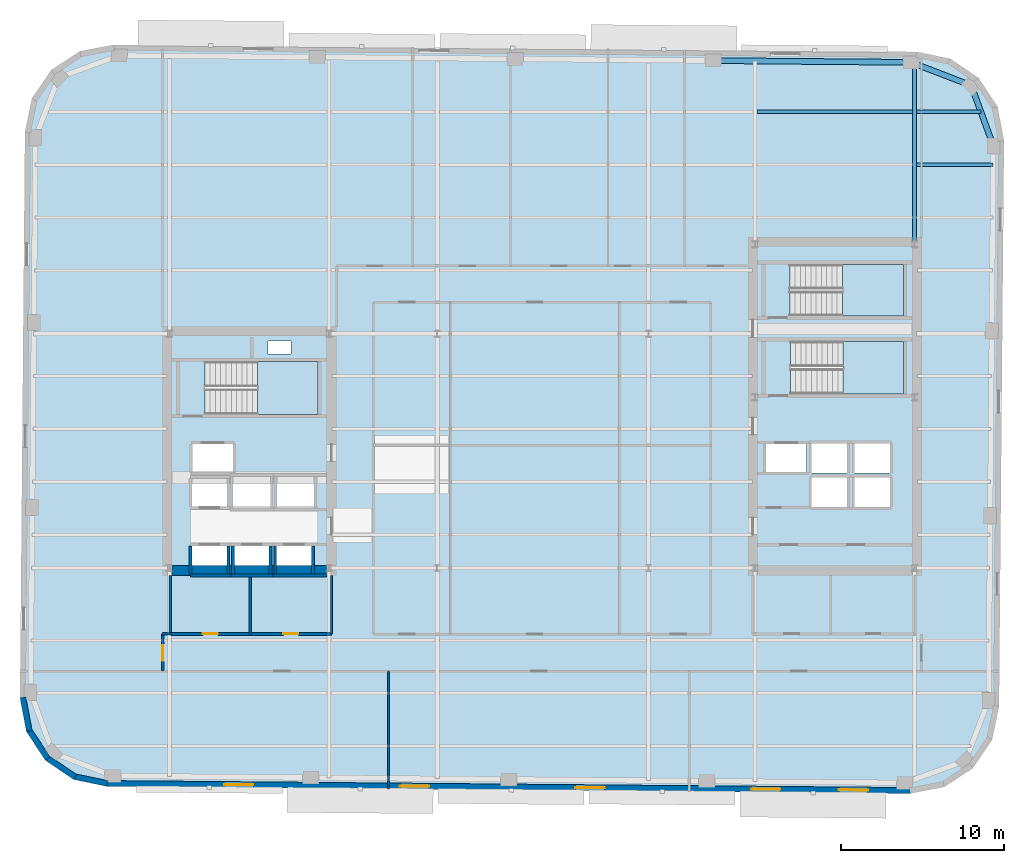
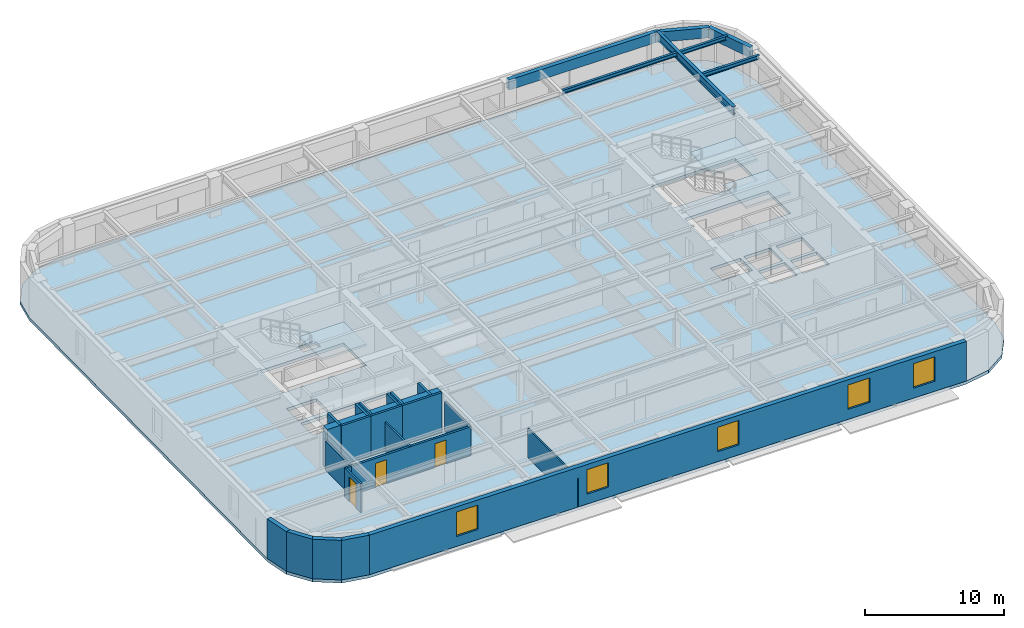
# One storey, part 3 of 11: 22 walls, 7 beams, 5 windows, 4 slabs, 3 doors, 8 openings, 3 elements without a shape of their own.
"""IFC4 building model written with IfcOpenShell, lengths in metres."""

from ifc_helpers import new_model, si_unit, direction, frame, frame_2d, origin, origin_2d, place, context, subcontext, project, spatial, polyline, rectangle, hollow_rectangle, i_section, outline, extrude, material, layer, layer_set, material_profile, profile_set, type_object, element, fill, aggregate, save


model = new_model("IFC4")

# Units and contexts
model_context = context("Model", 3, precision=1e-05, world=origin(), true_north=direction((0.0, 1.0)))
body_context = subcontext(model_context, "Body", "Model", "MODEL_VIEW")
ifc_project = project(units=[si_unit("LENGTHUNIT", "METRE"), si_unit("AREAUNIT", "SQUARE_METRE"), si_unit("VOLUMEUNIT", "CUBIC_METRE"), si_unit("PLANEANGLEUNIT", "RADIAN"), si_unit("MASSUNIT", "GRAM", prefix="KILO")], contexts=[model_context])

# Site, building, storey
site_placement = place(None, origin())
site = spatial("IfcSite", under=ifc_project, at=site_placement, CompositionType="ELEMENT")
building_placement = place(site_placement, origin())
building = spatial("IfcBuilding", under=site, at=building_placement, Name="Kolvaren Arena Tower", CompositionType="ELEMENT")
storey_placement = place(building_placement, frame((0.0, 0.0, 169.699951171875)))
storey = spatial("IfcBuildingStorey", under=building, at=storey_placement, Name="L40", CompositionType="ELEMENT", Elevation=169.699951171875)

# Beams
ifc_material_1 = material(Name="Steel CSA G40.21 350W", Category="steel")
ifc_material_profile_1 = material_profile(ifc_material_1, i_section(OverallWidth=0.2548828125, OverallDepth=0.695068359375, WebThickness=0.01708984375, FlangeThickness=0.02978515625, FilletRadius=0.01611328125, at=origin_2d()), Name="W690x217")
ifc_profile_set_1 = profile_set([ifc_material_profile_1], Name="Steel CSA G40.21 350W")
beam_type_1 = type_object("IfcBeamType", Name="GIRD-T2", PredefinedType="BEAM", material=ifc_profile_set_1)
beam_1_placement = place(storey_placement, frame((60.35009765625, 39.47998046875, 3.132568359375), z_axis=(0.0, 1.0, 0.0), x_axis=(-1.0, 0.0, 0.0)))
element("IfcBeam", 1, at=beam_1_placement, inside=storey, type_object=beam_type_1, Name="Primary Floor Girder (L40)", PredefinedType="BEAM", context=body_context, shape_type="SweptSolid", body=[
    extrude(i_section(OverallWidth=0.2548828125, OverallDepth=0.695068359375, WebThickness=0.01708984375, FlangeThickness=0.02978515625, FilletRadius=0.01611328125, at=origin_2d()), origin(), (0.0, 0.0, 1.0), 10.976806640625),
])
ifc_material_profile_2 = material_profile(ifc_material_1, i_section(OverallWidth=0.202880859375, OverallDepth=0.346923828125, WebThickness=0.0078125, FlangeThickness=0.013427734375, FilletRadius=0.010986328125, at=origin_2d()), Name="W360x64")
ifc_profile_set_2 = profile_set([ifc_material_profile_2], Name="Steel CSA G40.21 350W")
beam_type_2 = type_object("IfcBeamType", Name="JOIST-01", PredefinedType="JOIST", material=ifc_profile_set_2)
beam_2_placement = place(storey_placement, frame((60.4775390625, 44.25, 3.306640625), z_axis=(1.0, 0.0, 0.0), x_axis=(0.0, 1.0, 0.0)))
element("IfcBeam", 2, at=beam_2_placement, inside=storey, type_object=beam_type_2, Name="Composite Floor Joist (L40)", PredefinedType="JOIST", context=body_context, shape_type="SweptSolid", body=[
    extrude(i_section(OverallWidth=0.202880859375, OverallDepth=0.346923828125, WebThickness=0.0078125, FlangeThickness=0.013427734375, FilletRadius=0.010986328125, at=origin_2d()), origin(), (0.0, 0.0, 1.0), 4.710205078125),
])
beam_3_placement = place(storey_placement, frame((50.677490234375, 47.5, 3.306640625), z_axis=(1.0, 0.0, 0.0), x_axis=(0.0, 1.0, 0.0)))
element("IfcBeam", 3, at=beam_3_placement, inside=storey, type_object=beam_type_2, Name="Composite Floor Joist (L40)", PredefinedType="JOIST", context=body_context, shape_type="SweptSolid", body=[
    extrude(i_section(OverallWidth=0.202880859375, OverallDepth=0.346923828125, WebThickness=0.0078125, FlangeThickness=0.013427734375, FilletRadius=0.010986328125, at=origin_2d()), origin(), (0.0, 0.0, 1.0), 9.544921875),
])
beam_4_placement = place(storey_placement, frame((60.4775390625, 47.5, 3.306640625), z_axis=(1.0, 0.0, 0.0), x_axis=(0.0, 1.0, 0.0)))
element("IfcBeam", 4, at=beam_4_placement, inside=storey, type_object=beam_type_2, Name="Composite Floor Joist (L40)", PredefinedType="JOIST", context=body_context, shape_type="SweptSolid", body=[
    extrude(i_section(OverallWidth=0.202880859375, OverallDepth=0.346923828125, WebThickness=0.0078125, FlangeThickness=0.013427734375, FilletRadius=0.010986328125, at=origin_2d()), origin(), (0.0, 0.0, 1.0), 3.950439453125),
])
ifc_material_2 = material(Name="Steel CSA G40.21 350WT", Category="steel")
ifc_material_profile_3 = material_profile(ifc_material_2, hollow_rectangle(XDim=0.35009765625, YDim=0.89990234375, WallThickness=0.02001953125, at=origin_2d()), Name="HSS 900x350x20")
ifc_profile_set_3 = profile_set([ifc_material_profile_3], Name="Steel CSA G40.21 350WT")
beam_type_3 = type_object("IfcBeamType", Name="SPAND-01", PredefinedType="SPANDREL", material=ifc_profile_set_3)
for number, where, z_axis, x_axis, name in (
    (5, (65.19775390625, 45.392333984375, 3.030029296875), (-0.343059102458, 0.939313819882, 0.0), (-0.939313819882, -0.343059102458, 0.0), "Perimeter Spandrel Beam (L40)"),
    (6, (63.8388671875, 49.113037109375, 3.030029296875), (-0.933189846698, 0.359383792094, 0.0), (-0.359383792094, -0.933189846698, 0.0), "Perimeter Spandrel Beam (L40)"),
):
    element("IfcBeam", number, at=place(storey_placement, frame(where, z_axis=z_axis, x_axis=x_axis)), inside=storey, type_object=beam_type_3, Name=name, PredefinedType="SPANDREL", context=body_context, shape_type="SweptSolid", body=[
        extrude(hollow_rectangle(XDim=0.35009765625, YDim=0.89990234375, WallThickness=0.02001953125, at=origin_2d()), origin(), (0.0, 0.0, 1.0), 3.961181640625),
    ])
beam_5_placement = place(storey_placement, frame((60.142333984375, 50.53662109375, 3.030029296875), z_axis=(-0.99996195503, 0.008722871848, 0.0), x_axis=(-0.008722871848, -0.99996195503, 0.0)))
element("IfcBeam", 7, at=beam_5_placement, inside=storey, type_object=beam_type_3, Name="Perimeter Spandrel Beam (L40)", PredefinedType="SPANDREL", context=body_context, shape_type="SweptSolid", body=[
    extrude(hollow_rectangle(XDim=0.35009765625, YDim=0.89990234375, WallThickness=0.02001953125, at=origin_2d()), origin(), (0.0, 0.0, 1.0), 12.175048828125),
])

# Stair, slab
ifc_material_3 = material(Name="Concrete 45 MPa", Category="concrete")
stair_type_1 = type_object("IfcStairType", Name="STAIR-CORE-165", PredefinedType="HALF_TURN_STAIR", material=ifc_material_3)
stair_1_placement = place(storey_placement, origin())
stair_1 = element("IfcStair", 8, at=stair_1_placement, inside=storey, type_object=stair_type_1, Name="L40 ST-W1", PredefinedType="HALF_TURN_STAIR")
ifc_layer_1 = layer(ifc_material_3, 0.199951171875)
ifc_layer_set_1 = layer_set([ifc_layer_1], Name="Concrete 45 MPa")
slab_type_1 = type_object("IfcSlabType", Name="SLAB-LAND", PredefinedType="LANDING", material=ifc_layer_set_1)
slab_1_placement = place(storey_placement, frame((0.0, 0.0, 1.675048828125)))
slab_1 = element("IfcSlab", 9, at=slab_1_placement, type_object=slab_type_1, Name="ST-W1 landing 1", PredefinedType="LANDING", context=body_context, shape_type="SweptSolid", body=[
    extrude(outline(polyline([(19.9599609375, 28.89990234375), (23.659912109375, 28.89990234375), (23.659912109375, 32.1298828125), (19.9599609375, 32.1298828125), (19.9599609375, 28.89990234375)])), origin(), (0.0, 0.0, 1.0), 0.199951171875),
])
aggregate(stair_1, [slab_1])

stair_2_placement = place(storey_placement, origin())
stair_2 = element("IfcStair", 10, at=stair_2_placement, inside=storey, type_object=stair_type_1, Name="L40 ST-E1", PredefinedType="HALF_TURN_STAIR")
slab_2_placement = place(storey_placement, frame((0.0, 0.0, 1.675048828125)))
slab_2 = element("IfcSlab", 11, at=slab_2_placement, type_object=slab_type_1, Name="ST-E1 landing 1", PredefinedType="LANDING", context=body_context, shape_type="SweptSolid", body=[
    extrude(outline(polyline([(55.9599609375, 30.14990234375), (59.659912109375, 30.14990234375), (59.659912109375, 33.3798828125), (55.9599609375, 33.3798828125), (55.9599609375, 30.14990234375)])), origin(), (0.0, 0.0, 1.0), 0.199951171875),
])
aggregate(stair_2, [slab_2])

stair_type_2 = type_object("IfcStairType", Name="STAIR-CORE-150", PredefinedType="HALF_TURN_STAIR", material=ifc_material_3)
stair_3_placement = place(storey_placement, origin())
stair_3 = element("IfcStair", 12, at=stair_3_placement, inside=storey, type_object=stair_type_2, Name="L40 ST-E2", PredefinedType="HALF_TURN_STAIR")
slab_3_placement = place(storey_placement, frame((0.0, 0.0, 1.675048828125)))
slab_3 = element("IfcSlab", 13, at=slab_3_placement, type_object=slab_type_1, Name="ST-E2 landing 1", PredefinedType="LANDING", context=body_context, shape_type="SweptSolid", body=[
    extrude(outline(polyline([(55.919921875, 34.949951171875), (59.659912109375, 34.949951171875), (59.659912109375, 38.10009765625), (55.919921875, 38.10009765625), (55.919921875, 34.949951171875)])), origin(), (0.0, 0.0, 1.0), 0.199951171875),
])
aggregate(stair_3, [slab_3])

# Slab
ifc_layer_2 = layer(ifc_material_3, 0.27001953125)
ifc_layer_set_2 = layer_set([ifc_layer_2], Name="Concrete 45 MPa")
slab_type_2 = type_object("IfcSlabType", Name="SLAB-OFF2", PredefinedType="FLOOR", material=ifc_layer_set_2)
slab_4_placement = place(storey_placement, frame((0.0, 0.0, -0.27001953125)))
element("IfcSlab", 14, at=slab_4_placement, inside=storey, type_object=slab_type_2, Name="L40 Primary Structural Slab", PredefinedType="FLOOR", context=body_context, shape_type="SweptSolid", body=[
    extrude(outline(polyline([(60.10009765625, 5.585205078125), (62.170166015625, 5.978271484375), (63.93212890625, 7.133544921875), (65.117919921875, 8.875244140625), (65.547119140625, 10.93798828125), (65.8505859375, 45.73681640625), (65.457763671875, 47.806640625), (64.302490234375, 49.568603515625), (62.560791015625, 50.75439453125), (60.498046875, 51.18359375), (11.099853515625, 51.61474609375), (9.02978515625, 51.2216796875), (7.267822265625, 50.06640625), (6.08203125, 48.32470703125), (5.653076171875, 46.261962890625), (5.349365234375, 11.46337890625), (5.7421875, 9.393310546875), (6.8974609375, 7.63134765625), (8.63916015625, 6.445556640625), (10.701904296875, 6.016357421875), (60.10009765625, 5.585205078125)]), holes=[polyline([(15.93505859375, 19.0849609375), (15.93505859375, 20.81494140625), (18.06494140625, 20.81494140625), (18.06494140625, 19.0849609375), (15.93505859375, 19.0849609375)]), polyline([(18.534912109375, 19.0849609375), (18.534912109375, 20.81494140625), (20.6650390625, 20.81494140625), (20.6650390625, 19.0849609375), (18.534912109375, 19.0849609375)]), polyline([(21.135009765625, 19.0849609375), (21.135009765625, 20.81494140625), (23.264892578125, 20.81494140625), (23.264892578125, 19.0849609375), (21.135009765625, 19.0849609375)]), polyline([(18.4599609375, 23.135009765625), (18.4599609375, 25.06494140625), (20.739990234375, 25.06494140625), (20.739990234375, 23.135009765625), (18.4599609375, 23.135009765625)]), polyline([(21.159912109375, 23.135009765625), (21.159912109375, 25.06494140625), (23.43994140625, 25.06494140625), (23.43994140625, 23.135009765625), (21.159912109375, 23.135009765625)]), polyline([(54.030029296875, 23.18505859375), (54.030029296875, 25.014892578125), (56.2099609375, 25.014892578125), (56.2099609375, 23.18505859375), (54.030029296875, 23.18505859375)]), polyline([(56.669921875, 23.18505859375), (56.669921875, 25.014892578125), (58.85009765625, 25.014892578125), (58.85009765625, 23.18505859375), (56.669921875, 23.18505859375)]), polyline([(15.93505859375, 23.235107421875), (15.93505859375, 24.965087890625), (18.06494140625, 24.965087890625), (18.06494140625, 23.235107421875), (15.93505859375, 23.235107421875)]), polyline([(54.030029296875, 25.284912109375), (54.030029296875, 27.114990234375), (56.2099609375, 27.114990234375), (56.2099609375, 25.284912109375), (54.030029296875, 25.284912109375)]), polyline([(56.669921875, 25.284912109375), (56.669921875, 27.114990234375), (58.85009765625, 27.114990234375), (58.85009765625, 25.284912109375), (56.669921875, 25.284912109375)]), polyline([(15.9599609375, 25.3349609375), (15.9599609375, 27.06494140625), (18.43994140625, 27.06494140625), (18.43994140625, 25.3349609375), (15.9599609375, 25.3349609375)]), polyline([(51.219970703125, 25.3349609375), (51.219970703125, 27.06494140625), (53.699951171875, 27.06494140625), (53.699951171875, 25.3349609375), (51.219970703125, 25.3349609375)]), polyline([(16.735107421875, 28.89990234375), (16.735107421875, 32.1298828125), (23.659912109375, 32.1298828125), (23.659912109375, 28.89990234375), (16.735107421875, 28.89990234375)]), polyline([(52.735107421875, 30.14990234375), (52.735107421875, 33.3798828125), (59.659912109375, 33.3798828125), (59.659912109375, 30.14990234375), (52.735107421875, 30.14990234375)]), polyline([(20.60009765625, 32.6201171875), (20.60009765625, 33.39990234375), (22.0, 33.39990234375), (22.0, 32.6201171875), (20.60009765625, 32.6201171875)]), polyline([(52.695068359375, 34.949951171875), (52.695068359375, 38.10009765625), (59.659912109375, 38.10009765625), (59.659912109375, 34.949951171875), (52.695068359375, 34.949951171875)])]), origin(), (0.0, 0.0, 1.0), 0.27001953125),
])

# Wall, opening, door
ifc_material_4 = material(Name="Gypsum board acoustic assembly", Category="gypsum")
ifc_layer_3 = layer(ifc_material_4, 0.159912109375)
ifc_layer_set_3 = layer_set([ifc_layer_3], Name="Gypsum board acoustic assembly")
wall_type_1 = type_object("IfcWallType", Name="CORR-160", PredefinedType="PARTITIONING", material=ifc_layer_set_3)
wall_1_placement = place(storey_placement, frame((14.1201171875, 13.10009765625, 0.0), z_axis=(0.0, 0.0, 1.0), x_axis=(0.0, 1.0, 0.0)))
wall_1 = element("IfcWall", 15, at=wall_1_placement, inside=storey, type_object=wall_type_1, Name="Interior Partition Wall (L40)", PredefinedType="PARTITIONING", context=body_context, shape_type="SweptSolid", body=[
    extrude(rectangle(XDim=2.2998046875, YDim=0.159912109375, at=frame_2d((1.14990234375, 0.0))), origin(), (0.0, 0.0, 1.0), 2.5400390625),
])
opening_1_placement = place(wall_1_placement, frame((0.64990234375, 0.0, 0.0)))
opening_1 = element("IfcOpeningElement", 16, at=opening_1_placement, cuts=wall_1, Name="Opening D05", PredefinedType="OPENING", context=body_context, shape_type="SweptSolid", body=[
    extrude(rectangle(XDim=0.949951171875, YDim=2.14990234375, at=frame_2d((0.47509765625, 1.074951171875))), frame((0.0, 0.08984375, 0.0), z_axis=(0.0, -1.0, 0.0), x_axis=(1.0, 0.0, 0.0)), (0.0, 0.0, 1.0), 0.179931640625),
])
ifc_material_5 = material(Name="Solid-core oak acoustic office door", Category="wood")
door_type_1 = type_object("IfcDoorType", Name="DOOR-OF-095", OperationType="NOTDEFINED", PredefinedType="DOOR", material=ifc_material_5)
door_1_placement = place(opening_1_placement, origin())
door_1 = element("IfcDoor", 17, at=door_1_placement, inside=storey, type_object=door_type_1, Name="West Wing Office Door (L40)", OperationType="SINGLE_SWING_LEFT", OverallHeight=2.14990234375, OverallWidth=0.949951171875, PredefinedType="DOOR", context=body_context, shape_type="SweptSolid", body=[
    extrude(rectangle(XDim=0.949951171875, YDim=2.14990234375, at=frame_2d((0.47509765625, 1.074951171875))), frame((0.0, 0.02490234375, 0.0), z_axis=(0.0, -1.0, 0.0), x_axis=(1.0, 0.0, 0.0)), (0.0, 0.0, 1.0), 0.050048828125),
])
fill(opening_1, door_1)

# Walls
wall_2_placement = place(storey_placement, frame((14.1201171875, 15.39990234375, 0.0), z_axis=(0.0, 0.0, 1.0), x_axis=(1.0, 0.0, 0.0)))
element("IfcWall", 18, at=wall_2_placement, inside=storey, type_object=wall_type_1, Name="Interior Partition Wall (L40)", PredefinedType="PARTITIONING", context=body_context, shape_type="SweptSolid", body=[
    extrude(rectangle(XDim=0.5, YDim=0.159912109375, at=frame_2d((0.25, 0.0))), origin(), (0.0, 0.0, 1.0), 2.5400390625),
])
ifc_material_6 = material(Name="Concrete 60 MPa", Category="concrete")
ifc_layer_4 = layer(ifc_material_6, 0.60009765625)
ifc_layer_set_4 = layer_set([ifc_layer_4], Name="Concrete 60 MPa")
wall_type_2 = type_object("IfcWallType", Name="CWALL-600", PredefinedType="SHEAR", material=ifc_layer_set_4)
wall_3_placement = place(storey_placement, frame((14.699951171875, 19.300048828125, -0.27001953125), z_axis=(0.0, 0.0, 1.0), x_axis=(1.0, 0.0, 0.0)))
element("IfcWall", 19, at=wall_3_placement, inside=storey, type_object=wall_type_2, Name="Core Shear Wall WC-SOUTH (L40)", PredefinedType="SHEAR", context=body_context, shape_type="SweptSolid", body=[
    extrude(rectangle(XDim=9.5, YDim=0.60009765625, at=frame_2d((4.75, 0.0))), origin(), (0.0, 0.0, 1.0), 3.75),
])
ifc_material_7 = material(Name="Precast concrete C50/60", Category="concrete")
ifc_layer_5 = layer(ifc_material_7, 0.360107421875)
ifc_layer_set_5 = layer_set([ifc_layer_5], Name="Precast concrete C50/60")
wall_type_3 = type_object("IfcWallType", Name="EXT-PIER2", PredefinedType="SOLIDWALL", material=ifc_layer_set_5)
for number, where, z_axis, x_axis, name in (
    (20, (5.919189453125, 9.427001953125, 0.0), (0.0, 0.0, 1.0), (-0.186568933123, 0.982441872679, 0.0), "Exterior Precast Masonry-Frame Wall (L40)"),
    (21, (7.048095703125, 7.72998046875, 0.0), (0.0, 0.0, 1.0), (-0.548319766745, 0.836268756678, 0.0), "Exterior Precast Masonry-Frame Wall (L40)"),
    (22, (8.740478515625, 6.59423828125, 0.0), (0.0, 0.0, 1.0), (-0.826609569219, 0.56277581689, 0.0), "Exterior Precast Masonry-Frame Wall (L40)"),
):
    element("IfcWall", number, at=place(storey_placement, frame(where, z_axis=z_axis, x_axis=x_axis)), inside=storey, type_object=wall_type_3, Name=name, PredefinedType="SOLIDWALL", context=body_context, shape_type="SweptSolid", body=[
        extrude(rectangle(XDim=2.10693359375, YDim=0.360107421875, at=frame_2d((1.053466796875, 0.0))), origin(), (0.0, 0.0, 1.0), 3.47998046875),
    ])
wall_4_placement = place(storey_placement, frame((10.73876953125, 6.192626953125, 0.0), z_axis=(0.0, 0.0, 1.0), x_axis=(-0.979059388908, 0.203574833883, 0.0)))
element("IfcWall", 23, at=wall_4_placement, inside=storey, type_object=wall_type_3, Name="Exterior Precast Masonry-Frame Wall (L40)", PredefinedType="SOLIDWALL", context=body_context, shape_type="SweptSolid", body=[
    extrude(rectangle(XDim=2.107177734375, YDim=0.360107421875, at=frame_2d((1.0537109375, 0.0))), origin(), (0.0, 0.0, 1.0), 3.47998046875),
])

# Wall, openings, windows
wall_5_placement = place(storey_placement, frame((60.101806640625, 5.765380859375, 0.0), z_axis=(0.0, 0.0, 1.0), x_axis=(-0.999961955436, 0.008722825272, 0.0)))
wall_5 = element("IfcWall", 24, at=wall_5_placement, inside=storey, type_object=wall_type_3, Name="Exterior Precast Masonry-Frame Wall (L40)", PredefinedType="SOLIDWALL", context=body_context, shape_type="SweptSolid", body=[
    extrude(rectangle(XDim=49.400146484375, YDim=0.360107421875, at=frame_2d((24.7001953125, 0.0))), origin(), (0.0, 0.0, 1.0), 3.47998046875),
])
opening_2_placement = place(wall_5_placement, frame((2.60009765625, 0.0, 0.8798828125)))
opening_2 = element("IfcOpeningElement", 25, at=opening_2_placement, cuts=wall_5, Name="Opening W02", PredefinedType="OPENING", context=body_context, shape_type="SweptSolid", body=[
    extrude(rectangle(XDim=1.800048828125, YDim=2.14990234375, at=frame_2d((0.89990234375, 1.074951171875))), frame((0.0, 0.18994140625, 0.0), z_axis=(0.0, -1.0, 0.0), x_axis=(1.0, 0.0, 0.0)), (0.0, 0.0, 1.0), 0.380126953125),
])
opening_3_placement = place(wall_5_placement, frame((8.0, 0.0, 0.8798828125)))
opening_3 = element("IfcOpeningElement", 26, at=opening_3_placement, cuts=wall_5, Name="Opening W02", PredefinedType="OPENING", context=body_context, shape_type="SweptSolid", body=[
    extrude(rectangle(XDim=1.800048828125, YDim=2.14990234375, at=frame_2d((0.89990234375, 1.074951171875))), frame((0.0, 0.18994140625, 0.0), z_axis=(0.0, -1.0, 0.0), x_axis=(1.0, 0.0, 0.0)), (0.0, 0.0, 1.0), 0.380126953125),
])
opening_4_placement = place(wall_5_placement, frame((18.800048828125, 0.0, 0.8798828125)))
opening_4 = element("IfcOpeningElement", 27, at=opening_4_placement, cuts=wall_5, Name="Opening W02", PredefinedType="OPENING", context=body_context, shape_type="SweptSolid", body=[
    extrude(rectangle(XDim=1.800048828125, YDim=2.14990234375, at=frame_2d((0.89990234375, 1.074951171875))), frame((0.0, 0.18994140625, 0.0), z_axis=(0.0, -1.0, 0.0), x_axis=(1.0, 0.0, 0.0)), (0.0, 0.0, 1.0), 0.380126953125),
])
opening_5_placement = place(wall_5_placement, frame((29.60009765625, 0.0, 0.8798828125)))
opening_5 = element("IfcOpeningElement", 28, at=opening_5_placement, cuts=wall_5, Name="Opening W02", PredefinedType="OPENING", context=body_context, shape_type="SweptSolid", body=[
    extrude(rectangle(XDim=1.800048828125, YDim=2.14990234375, at=frame_2d((0.89990234375, 1.074951171875))), frame((0.0, 0.18994140625, 0.0), z_axis=(0.0, -1.0, 0.0), x_axis=(1.0, 0.0, 0.0)), (0.0, 0.0, 1.0), 0.380126953125),
])
opening_6_placement = place(wall_5_placement, frame((40.39990234375, 0.0, 0.8798828125)))
opening_6 = element("IfcOpeningElement", 29, at=opening_6_placement, cuts=wall_5, Name="Opening W02", PredefinedType="OPENING", context=body_context, shape_type="SweptSolid", body=[
    extrude(rectangle(XDim=1.800048828125, YDim=2.14990234375, at=frame_2d((0.89990234375, 1.074951171875))), frame((0.0, 0.18994140625, 0.0), z_axis=(0.0, -1.0, 0.0), x_axis=(1.0, 0.0, 0.0)), (0.0, 0.0, 1.0), 0.380126953125),
])
ifc_material_8 = material(Name="Triple-glazed low-E aluminium window", Category="aluminium")
window_type = type_object("IfcWindowType", Name="WIN-OFF-B", PartitioningType="DOUBLE_PANEL_VERTICAL", PredefinedType="WINDOW", material=ifc_material_8)
window_1_placement = place(opening_2_placement, origin())
window_1 = element("IfcWindow", 30, at=window_1_placement, inside=storey, type_object=window_type, Name="Punched Precast-Pier Window (L40)", OverallHeight=2.14990234375, OverallWidth=1.800048828125, PartitioningType="DOUBLE_PANEL_VERTICAL", PredefinedType="WINDOW", context=body_context, shape_type="SweptSolid", body=[
    extrude(rectangle(XDim=1.800048828125, YDim=2.14990234375, at=frame_2d((0.89990234375, 1.074951171875))), frame((0.0, 0.030029296875, 0.0), z_axis=(0.0, -1.0, 0.0), x_axis=(1.0, 0.0, 0.0)), (0.0, 0.0, 1.0), 0.06005859375),
])
fill(opening_2, window_1)
window_2_placement = place(opening_3_placement, origin())
window_2 = element("IfcWindow", 31, at=window_2_placement, inside=storey, type_object=window_type, Name="Punched Precast-Pier Window (L40)", OverallHeight=2.14990234375, OverallWidth=1.800048828125, PartitioningType="DOUBLE_PANEL_VERTICAL", PredefinedType="WINDOW", context=body_context, shape_type="SweptSolid", body=[
    extrude(rectangle(XDim=1.800048828125, YDim=2.14990234375, at=frame_2d((0.89990234375, 1.074951171875))), frame((0.0, 0.030029296875, 0.0), z_axis=(0.0, -1.0, 0.0), x_axis=(1.0, 0.0, 0.0)), (0.0, 0.0, 1.0), 0.06005859375),
])
fill(opening_3, window_2)
window_3_placement = place(opening_4_placement, origin())
window_3 = element("IfcWindow", 32, at=window_3_placement, inside=storey, type_object=window_type, Name="Punched Precast-Pier Window (L40)", OverallHeight=2.14990234375, OverallWidth=1.800048828125, PartitioningType="DOUBLE_PANEL_VERTICAL", PredefinedType="WINDOW", context=body_context, shape_type="SweptSolid", body=[
    extrude(rectangle(XDim=1.800048828125, YDim=2.14990234375, at=frame_2d((0.89990234375, 1.074951171875))), frame((0.0, 0.030029296875, 0.0), z_axis=(0.0, -1.0, 0.0), x_axis=(1.0, 0.0, 0.0)), (0.0, 0.0, 1.0), 0.06005859375),
])
fill(opening_4, window_3)
window_4_placement = place(opening_5_placement, origin())
window_4 = element("IfcWindow", 33, at=window_4_placement, inside=storey, type_object=window_type, Name="Punched Precast-Pier Window (L40)", OverallHeight=2.14990234375, OverallWidth=1.800048828125, PartitioningType="DOUBLE_PANEL_VERTICAL", PredefinedType="WINDOW", context=body_context, shape_type="SweptSolid", body=[
    extrude(rectangle(XDim=1.800048828125, YDim=2.14990234375, at=frame_2d((0.89990234375, 1.074951171875))), frame((0.0, 0.030029296875, 0.0), z_axis=(0.0, -1.0, 0.0), x_axis=(1.0, 0.0, 0.0)), (0.0, 0.0, 1.0), 0.06005859375),
])
fill(opening_5, window_4)
window_5_placement = place(opening_6_placement, origin())
window_5 = element("IfcWindow", 34, at=window_5_placement, inside=storey, type_object=window_type, Name="Punched Precast-Pier Window (L40)", OverallHeight=2.14990234375, OverallWidth=1.800048828125, PartitioningType="DOUBLE_PANEL_VERTICAL", PredefinedType="WINDOW", context=body_context, shape_type="SweptSolid", body=[
    extrude(rectangle(XDim=1.800048828125, YDim=2.14990234375, at=frame_2d((0.89990234375, 1.074951171875))), frame((0.0, 0.030029296875, 0.0), z_axis=(0.0, -1.0, 0.0), x_axis=(1.0, 0.0, 0.0)), (0.0, 0.0, 1.0), 0.06005859375),
])
fill(opening_6, window_5)

# Walls
ifc_material_9 = material(Name="Gypsum board partition assembly", Category="gypsum")
ifc_layer_6 = layer(ifc_material_9, 0.135009765625)
ifc_layer_set_6 = layer_set([ifc_layer_6], Name="Gypsum board partition assembly")
wall_type_4 = type_object("IfcWallType", Name="PART-135", PredefinedType="PARTITIONING", material=ifc_layer_set_6)
wall_6_placement = place(storey_placement, frame((28.0, 5.865478515625, 0.0), z_axis=(0.0, 0.0, 1.0), x_axis=(0.0, 1.0, 0.0)))
element("IfcWall", 35, at=wall_6_placement, inside=storey, type_object=wall_type_4, Name="Interior Partition Wall (L40)", PredefinedType="PARTITIONING", context=body_context, shape_type="SweptSolid", body=[
    extrude(rectangle(XDim=7.234619140625, YDim=0.135009765625, at=frame_2d((3.6171875, 0.0))), origin(), (0.0, 0.0, 1.0), 2.5400390625),
])
ifc_layer_7 = layer(ifc_material_3, 0.25)
ifc_layer_set_7 = layer_set([ifc_layer_7], Name="Concrete 45 MPa")
wall_type_5 = type_object("IfcWallType", Name="SHAFT-250", PredefinedType="SOLIDWALL", material=ifc_layer_set_7)
wall_7_placement = place(storey_placement, frame((15.844970703125, 18.9951171875, 0.0), z_axis=(0.0, 0.0, 1.0), x_axis=(1.0, 0.0, 0.0)))
element("IfcWall", 36, at=wall_7_placement, inside=storey, type_object=wall_type_5, Name="Core Shaft Wall (L40)", PredefinedType="SOLIDWALL", context=body_context, shape_type="SweptSolid", body=[
    extrude(rectangle(XDim=2.455078125, YDim=0.179931640625, at=frame_2d((1.2275390625, 0.0))), origin(), (0.0, 0.0, 1.0), 3.47998046875),
])
for number, where, z_axis, x_axis, name in (
    (37, (15.844970703125, 19.0849609375, 0.0), (0.0, 0.0, 1.0), (0.0, 1.0, 0.0), "Core Shaft Wall (L40)"),
    (38, (18.155029296875, 19.0849609375, 0.0), (0.0, 0.0, 1.0), (0.0, 1.0, 0.0), "Core Shaft Wall (L40)"),
):
    element("IfcWall", number, at=place(storey_placement, frame(where, z_axis=z_axis, x_axis=x_axis)), inside=storey, type_object=wall_type_5, Name=name, PredefinedType="SOLIDWALL", context=body_context, shape_type="SweptSolid", body=[
        extrude(rectangle(XDim=1.72998046875, YDim=0.179931640625, at=frame_2d((0.864990234375, 0.0))), origin(), (0.0, 0.0, 1.0), 3.47998046875),
    ])
wall_8_placement = place(storey_placement, frame((18.300048828125, 18.9951171875, 0.0), z_axis=(0.0, 0.0, 1.0), x_axis=(1.0, 0.0, 0.0)))
element("IfcWall", 39, at=wall_8_placement, inside=storey, type_object=wall_type_5, Name="Core Shaft Wall (L40)", PredefinedType="SOLIDWALL", context=body_context, shape_type="SweptSolid", body=[
    extrude(rectangle(XDim=2.599853515625, YDim=0.179931640625, at=frame_2d((1.2998046875, 0.0))), origin(), (0.0, 0.0, 1.0), 3.47998046875),
])
for number, where, z_axis, x_axis, name in (
    (40, (18.445068359375, 19.0849609375, 0.0), (0.0, 0.0, 1.0), (0.0, 1.0, 0.0), "Core Shaft Wall (L40)"),
    (41, (20.7548828125, 19.0849609375, 0.0), (0.0, 0.0, 1.0), (0.0, 1.0, 0.0), "Core Shaft Wall (L40)"),
):
    element("IfcWall", number, at=place(storey_placement, frame(where, z_axis=z_axis, x_axis=x_axis)), inside=storey, type_object=wall_type_5, Name=name, PredefinedType="SOLIDWALL", context=body_context, shape_type="SweptSolid", body=[
        extrude(rectangle(XDim=1.72998046875, YDim=0.179931640625, at=frame_2d((0.864990234375, 0.0))), origin(), (0.0, 0.0, 1.0), 3.47998046875),
    ])
wall_9_placement = place(storey_placement, frame((20.89990234375, 18.9951171875, 0.0), z_axis=(0.0, 0.0, 1.0), x_axis=(1.0, 0.0, 0.0)))
element("IfcWall", 42, at=wall_9_placement, inside=storey, type_object=wall_type_5, Name="Core Shaft Wall (L40)", PredefinedType="SOLIDWALL", context=body_context, shape_type="SweptSolid", body=[
    extrude(rectangle(XDim=3.300048828125, YDim=0.179931640625, at=frame_2d((1.64990234375, 0.0))), origin(), (0.0, 0.0, 1.0), 3.47998046875),
])
for number, where, z_axis, x_axis, name in (
    (43, (21.044921875, 19.0849609375, 0.0), (0.0, 0.0, 1.0), (0.0, 1.0, 0.0), "Core Shaft Wall (L40)"),
    (44, (23.35498046875, 19.0849609375, 0.0), (0.0, 0.0, 1.0), (0.0, 1.0, 0.0), "Core Shaft Wall (L40)"),
):
    element("IfcWall", number, at=place(storey_placement, frame(where, z_axis=z_axis, x_axis=x_axis)), inside=storey, type_object=wall_type_5, Name=name, PredefinedType="SOLIDWALL", context=body_context, shape_type="SweptSolid", body=[
        extrude(rectangle(XDim=1.72998046875, YDim=0.179931640625, at=frame_2d((0.864990234375, 0.0))), origin(), (0.0, 0.0, 1.0), 3.47998046875),
    ])
ifc_material_10 = material(Name="Moisture-resistant gypsum assembly", Category="gypsum")
ifc_layer_8 = layer(ifc_material_10, 0.14990234375)
ifc_layer_set_8 = layer_set([ifc_layer_8], Name="Moisture-resistant gypsum assembly")
wall_type_6 = type_object("IfcWallType", Name="WETW-150", PredefinedType="PARTITIONING", material=ifc_layer_set_8)
wall_10_placement = place(storey_placement, frame((19.5, 15.39990234375, 0.0), z_axis=(0.0, 0.0, 1.0), x_axis=(0.0, 1.0, 0.0)))
element("IfcWall", 45, at=wall_10_placement, inside=storey, type_object=wall_type_6, Name="Interior Partition Wall (L40)", PredefinedType="PARTITIONING", context=body_context, shape_type="SweptSolid", body=[
    extrude(rectangle(XDim=3.580078125, YDim=0.14990234375, at=frame_2d((1.7900390625, 0.0))), origin(), (0.0, 0.0, 1.0), 2.5400390625),
])

# Wall, openings, doors
wall_11_placement = place(storey_placement, frame((14.60009765625, 15.39990234375, 0.0), z_axis=(0.0, 0.0, 1.0), x_axis=(1.0, 0.0, 0.0)))
wall_11 = element("IfcWall", 46, at=wall_11_placement, inside=storey, type_object=wall_type_6, Name="Interior Partition Wall (L40)", PredefinedType="PARTITIONING", context=body_context, shape_type="SweptSolid", body=[
    extrude(rectangle(XDim=9.89990234375, YDim=0.179931640625, at=frame_2d((4.949951171875, 0.0))), origin(), (0.0, 0.0, 1.0), 2.5400390625),
])
opening_7_placement = place(wall_11_placement, frame((1.989990234375, 0.0, 0.0)))
opening_7 = element("IfcOpeningElement", 47, at=opening_7_placement, cuts=wall_11, Name="Opening D07", PredefinedType="OPENING", context=body_context, shape_type="SweptSolid", body=[
    extrude(rectangle(XDim=0.919921875, YDim=2.10009765625, at=frame_2d((0.4599609375, 1.050048828125))), frame((0.0, 0.099853515625, 0.0), z_axis=(0.0, -1.0, 0.0), x_axis=(1.0, 0.0, 0.0)), (0.0, 0.0, 1.0), 0.199951171875),
])
opening_8_placement = place(wall_11_placement, frame((6.93994140625, 0.0, 0.0)))
opening_8 = element("IfcOpeningElement", 48, at=opening_8_placement, cuts=wall_11, Name="Opening D07", PredefinedType="OPENING", context=body_context, shape_type="SweptSolid", body=[
    extrude(rectangle(XDim=0.919921875, YDim=2.10009765625, at=frame_2d((0.4599609375, 1.050048828125))), frame((0.0, 0.099853515625, 0.0), z_axis=(0.0, -1.0, 0.0), x_axis=(1.0, 0.0, 0.0)), (0.0, 0.0, 1.0), 0.199951171875),
])
ifc_material_11 = material(Name="Laminate universal washroom door", Category="wood")
door_type_2 = type_object("IfcDoorType", Name="DOOR-WC-092", OperationType="NOTDEFINED", PredefinedType="DOOR", material=ifc_material_11)
door_2_placement = place(opening_7_placement, origin())
door_2 = element("IfcDoor", 49, at=door_2_placement, inside=storey, type_object=door_type_2, Name="Universal Barrier-Free Washroom Door (L40)", OperationType="SINGLE_SWING_RIGHT", OverallHeight=2.10009765625, OverallWidth=0.919921875, PredefinedType="DOOR", context=body_context, shape_type="SweptSolid", body=[
    extrude(rectangle(XDim=0.919921875, YDim=2.10009765625, at=frame_2d((0.4599609375, 1.050048828125))), frame((0.0, 0.02490234375, 0.0), z_axis=(0.0, -1.0, 0.0), x_axis=(1.0, 0.0, 0.0)), (0.0, 0.0, 1.0), 0.050048828125),
])
fill(opening_7, door_2)
door_3_placement = place(opening_8_placement, origin())
door_3 = element("IfcDoor", 50, at=door_3_placement, inside=storey, type_object=door_type_2, Name="Gender-Neutral Washroom Door (L40)", OperationType="SINGLE_SWING_LEFT", OverallHeight=2.10009765625, OverallWidth=0.919921875, PredefinedType="DOOR", context=body_context, shape_type="SweptSolid", body=[
    extrude(rectangle(XDim=0.919921875, YDim=2.10009765625, at=frame_2d((0.4599609375, 1.050048828125))), frame((0.0, 0.02490234375, 0.0), z_axis=(0.0, -1.0, 0.0), x_axis=(1.0, 0.0, 0.0)), (0.0, 0.0, 1.0), 0.050048828125),
])
fill(opening_8, door_3)

# Walls
for number, where, z_axis, x_axis, name in (
    (51, (14.60009765625, 15.39990234375, 0.0), (0.0, 0.0, 1.0), (0.0, 1.0, 0.0), "Interior Partition Wall (L40)"),
    (52, (24.5, 15.39990234375, 0.0), (0.0, 0.0, 1.0), (0.0, 1.0, 0.0), "Interior Partition Wall (L40)"),
):
    element("IfcWall", number, at=place(storey_placement, frame(where, z_axis=z_axis, x_axis=x_axis)), inside=storey, type_object=wall_type_6, Name=name, PredefinedType="PARTITIONING", context=body_context, shape_type="SweptSolid", body=[
        extrude(rectangle(XDim=3.580078125, YDim=0.14990234375, at=frame_2d((1.7900390625, 0.0))), origin(), (0.0, 0.0, 1.0), 2.5400390625),
    ])

save(model, "model.ifc")
